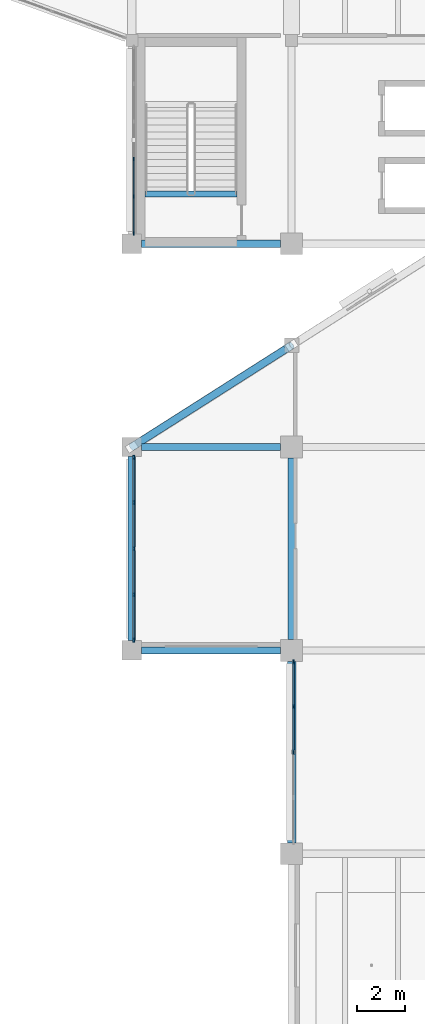
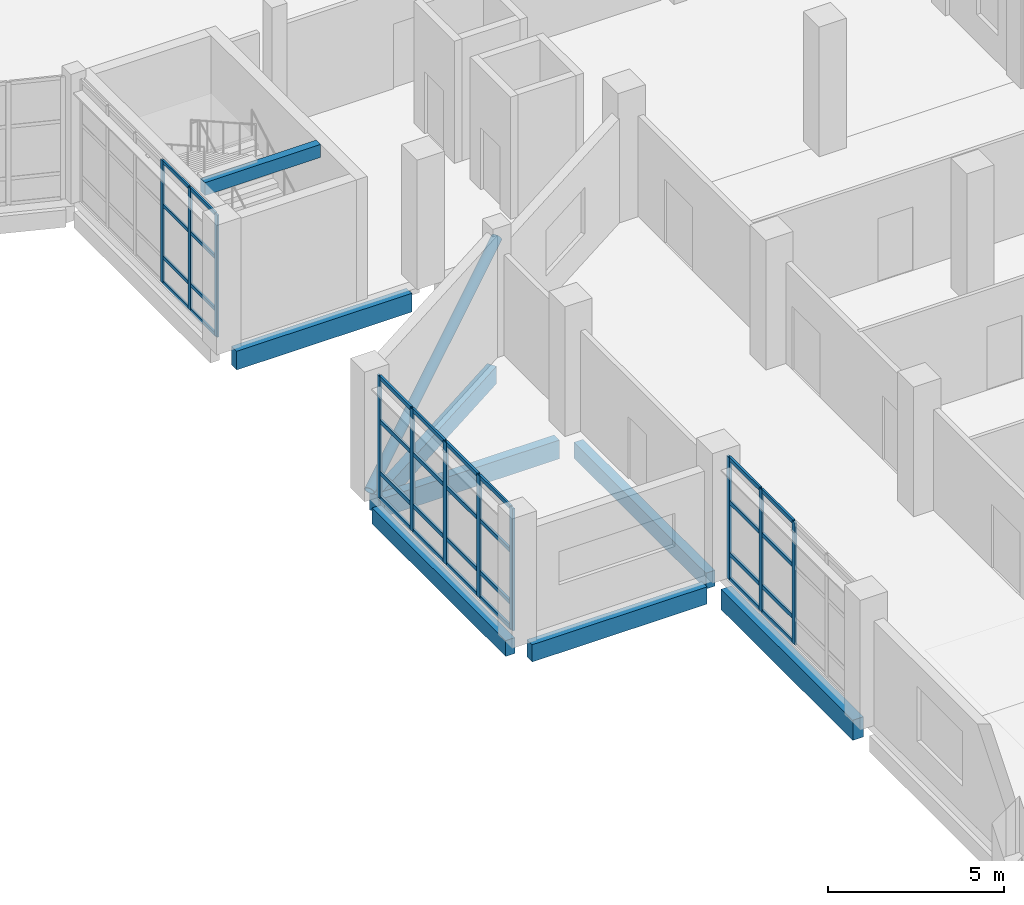
# One storey, part 19 of 76: 44 members, 8 beams, 3 elements without a shape of their own.
"""IFC4 building model written with IfcOpenShell, lengths in metres."""

from ifc_helpers import new_model, si_unit, direction, frame, origin, origin_2d, place, context, subcontext, project, spatial, rectangle, hollow_circle, extrude, material, material_profile, profile_set, type_object, element, aggregate, save


model = new_model("IFC4")

# Units and contexts
model_context = context("Model", 3, precision=1e-05, world=origin(), true_north=direction((0.0, 1.0)))
body_context = subcontext(model_context, "Body", "Model", "MODEL_VIEW")
ifc_project = project(units=[si_unit("LENGTHUNIT", "METRE"), si_unit("AREAUNIT", "SQUARE_METRE"), si_unit("VOLUMEUNIT", "CUBIC_METRE"), si_unit("PLANEANGLEUNIT", "RADIAN"), si_unit("MASSUNIT", "GRAM", prefix="KILO")], contexts=[model_context])

# Site, building, storey
site_placement = place(None, origin())
site = spatial("IfcSite", under=ifc_project, at=site_placement, CompositionType="ELEMENT")
building_placement = place(site_placement, origin())
building = spatial("IfcBuilding", under=site, at=building_placement, Name="Qaldarim Faculty of Natural and Applied Sciences", CompositionType="ELEMENT")
storey_placement = place(building_placement, frame((0.0, 0.0, 9.89990234375)))
storey = spatial("IfcBuildingStorey", under=building, at=storey_placement, Name="L02", CompositionType="ELEMENT", Elevation=9.89990234375)

# Beams
ifc_material_1 = material(Name="Concrete C40/50", Category="concrete")
ifc_material_profile_1 = material_profile(ifc_material_1, rectangle(XDim=0.300048828125, YDim=0.550048828125, at=origin_2d()), Name="RC-B300x550")
ifc_profile_set_1 = profile_set([ifc_material_profile_1], Name="Concrete C40/50")
beam_type_1 = type_object("IfcBeamType", Name="FloorBeam-RC300x550", PredefinedType="BEAM", material=ifc_profile_set_1)
beam_1_placement = place(storey_placement, frame((151.800048828125, 42.39990234375, -0.574951171875), z_axis=(0.0, 1.0, 0.0), x_axis=(-1.0, 0.0, 0.0)))
element("IfcBeam", 1, at=beam_1_placement, inside=storey, type_object=beam_type_1, Name="Beam RC-B300x550 L01 X24/Y06-Y07", PredefinedType="BEAM", context=body_context, shape_type="SweptSolid", body=[
    extrude(rectangle(XDim=0.300048828125, YDim=0.550048828125, at=origin_2d()), origin(), (0.0, 0.0, 1.0), 7.60009765625),
])
beam_2_placement = place(storey_placement, frame((158.39990234375, 42.449951171875, -0.574951171875), z_axis=(0.0, 1.0, 0.0), x_axis=(-1.0, 0.0, 0.0)))
element("IfcBeam", 2, at=beam_2_placement, inside=storey, type_object=beam_type_1, Name="Beam RC-B300x550 L01 X25/Y06-Y07", PredefinedType="BEAM", context=body_context, shape_type="SweptSolid", body=[
    extrude(rectangle(XDim=0.300048828125, YDim=0.550048828125, at=origin_2d()), origin(), (0.0, 0.0, 1.0), 7.5),
])
ifc_material_profile_2 = material_profile(ifc_material_1, rectangle(XDim=0.25, YDim=0.449951171875, at=origin_2d()), Name="RC-LN250x450")
ifc_profile_set_2 = profile_set([ifc_material_profile_2], Name="Concrete C40/50")
beam_type_2 = type_object("IfcBeamType", Name="LandingSupportBeam-RC250x450", PredefinedType="BEAM", material=ifc_profile_set_2)
beam_3_placement = place(storey_placement, frame((152.35009765625, 60.85009765625, 4.01513671875), z_axis=(1.0, 0.0, 0.0), x_axis=(0.0, 1.0, 0.0)))
element("IfcBeam", 3, at=beam_3_placement, inside=storey, type_object=beam_type_2, Name="Stair arrival support beam ST-C1 L02", PredefinedType="BEAM", context=body_context, shape_type="SweptSolid", body=[
    extrude(rectangle(XDim=0.25, YDim=0.449951171875, at=origin_2d()), origin(), (0.0, 0.0, 1.0), 3.7998046875),
])

# Member
ifc_material_2 = material(Name="Structural steel S355", Category="steel")
ifc_material_profile_3 = material_profile(ifc_material_2, hollow_circle(Radius=0.161865234375, WallThickness=0.02001953125, at=origin_2d()), Name="CHS 323.9x20.0")
ifc_profile_set_3 = profile_set([ifc_material_profile_3], Name="Structural steel S355")
member_type_1 = type_object("IfcMemberType", Name="LowerWingBrace-CHS323-9x20", PredefinedType="BRACE", material=ifc_profile_set_3)
member_1_placement = place(storey_placement, frame((151.800048828125, 50.39990234375, 0.0), z_axis=(0.753470929548, 0.479514440571, 0.449830478747), x_axis=(-0.536901743335, 0.843644781886, 0.0)))
element("IfcMember", 4, at=member_1_placement, inside=storey, type_object=member_type_1, Name="Oblique NW chamfer diagrid brace L02", PredefinedType="BRACE", context=body_context, shape_type="SweptSolid", body=[
    extrude(hollow_circle(Radius=0.161865234375, WallThickness=0.02001953125, at=origin_2d()), origin(), (0.0, 0.0, 1.0), 8.75927734375),
])

# Curtain wall, members
ifc_material_3 = material(Name="Anodised aluminium AW-6063", Category="aluminium")
curtain_wall_type_1 = type_object("IfcCurtainWallType", Name="CurtainWallSystem-M1600", PredefinedType="USERDEFINED", material=ifc_material_3)
curtain_wall_1_placement = place(storey_placement, origin())
curtain_wall_1 = element("IfcCurtainWall", 5, at=curtain_wall_1_placement, inside=storey, type_object=curtain_wall_type_1, Name="Curtain wall CW-L02-W-X24Y08", ObjectType="UNITISED FACADE", PredefinedType="USERDEFINED")
ifc_material_profile_4 = material_profile(ifc_material_3, rectangle(XDim=0.06005859375, YDim=0.14990234375, at=origin_2d()), Name="ALU-M60x150")
ifc_profile_set_4 = profile_set([ifc_material_profile_4], Name="Anodised aluminium AW-6063")
member_type_2 = type_object("IfcMemberType", Name="Mullion-ALU60x150", PredefinedType="MULLION", material=ifc_profile_set_4)
member_2_placement = place(storey_placement, frame((151.8798828125, 62.299072265625, 0.0), z_axis=(0.0, 0.0, 1.0), x_axis=(1.0, 0.0, 0.0)))
member_2 = element("IfcMember", 6, at=member_2_placement, type_object=member_type_2, Name="Mullion 4 of CW-L02-W-X24Y08", PredefinedType="MULLION", context=body_context, shape_type="SweptSolid", body=[
    extrude(rectangle(XDim=0.06005859375, YDim=0.14990234375, at=origin_2d()), origin(), (0.0, 0.0, 1.0), 4.239990234375),
])
member_3_placement = place(storey_placement, frame((151.8798828125, 60.7470703125, 0.0), z_axis=(0.0, 0.0, 1.0), x_axis=(1.0, 0.0, 0.0)))
member_3 = element("IfcMember", 7, at=member_3_placement, type_object=member_type_2, Name="Mullion 5 of CW-L02-W-X24Y08", PredefinedType="MULLION", context=body_context, shape_type="SweptSolid", body=[
    extrude(rectangle(XDim=0.06005859375, YDim=0.14990234375, at=origin_2d()), origin(), (0.0, 0.0, 1.0), 4.239990234375),
])
member_4_placement = place(storey_placement, frame((151.8798828125, 59.22509765625, 0.0), z_axis=(0.0, 0.0, 1.0), x_axis=(1.0, 0.0, 0.0)))
member_4 = element("IfcMember", 8, at=member_4_placement, type_object=member_type_2, Name="Mullion 6 of CW-L02-W-X24Y08", PredefinedType="MULLION", context=body_context, shape_type="SweptSolid", body=[
    extrude(rectangle(XDim=0.06005859375, YDim=0.14990234375, at=origin_2d()), origin(), (0.0, 0.0, 1.0), 4.239990234375),
])

curtain_wall_type_2 = type_object("IfcCurtainWallType", Name="CurtainWallSystem-M1700", PredefinedType="USERDEFINED", material=ifc_material_3)
curtain_wall_2_placement = place(storey_placement, origin())
curtain_wall_2 = element("IfcCurtainWall", 9, at=curtain_wall_2_placement, inside=storey, type_object=curtain_wall_type_2, Name="Curtain wall CW-L02-W-X24Y06", ObjectType="UNITISED FACADE", PredefinedType="USERDEFINED")
ifc_material_profile_5 = material_profile(ifc_material_3, rectangle(XDim=0.070068359375, YDim=0.179931640625, at=origin_2d()), Name="ALU-M70x180")
ifc_profile_set_5 = profile_set([ifc_material_profile_5], Name="Anodised aluminium AW-6063")
member_type_3 = type_object("IfcMemberType", Name="Mullion-ALU70x180", PredefinedType="MULLION", material=ifc_profile_set_5)
member_5_placement = place(storey_placement, frame((151.8798828125, 49.969970703125, 0.0), z_axis=(0.0, 0.0, 1.0), x_axis=(1.0, 0.0, 0.0)))
member_5 = element("IfcMember", 10, at=member_5_placement, type_object=member_type_3, Name="Mullion 1 of CW-L02-W-X24Y06", PredefinedType="MULLION", context=body_context, shape_type="SweptSolid", body=[
    extrude(rectangle(XDim=0.070068359375, YDim=0.179931640625, at=origin_2d()), origin(), (0.0, 0.0, 1.0), 4.239990234375),
])
member_6_placement = place(storey_placement, frame((151.8798828125, 48.1025390625, 0.0), z_axis=(0.0, 0.0, 1.0), x_axis=(1.0, 0.0, 0.0)))
member_6 = element("IfcMember", 11, at=member_6_placement, type_object=member_type_3, Name="Mullion 2 of CW-L02-W-X24Y06", PredefinedType="MULLION", context=body_context, shape_type="SweptSolid", body=[
    extrude(rectangle(XDim=0.070068359375, YDim=0.179931640625, at=origin_2d()), origin(), (0.0, 0.0, 1.0), 4.239990234375),
])
member_7_placement = place(storey_placement, frame((151.8798828125, 46.199951171875, 0.0), z_axis=(0.0, 0.0, 1.0), x_axis=(1.0, 0.0, 0.0)))
member_7 = element("IfcMember", 12, at=member_7_placement, type_object=member_type_3, Name="Mullion 3 of CW-L02-W-X24Y06", PredefinedType="MULLION", context=body_context, shape_type="SweptSolid", body=[
    extrude(rectangle(XDim=0.070068359375, YDim=0.179931640625, at=origin_2d()), origin(), (0.0, 0.0, 1.0), 4.239990234375),
])
member_8_placement = place(storey_placement, frame((151.8798828125, 44.297607421875, 0.0), z_axis=(0.0, 0.0, 1.0), x_axis=(1.0, 0.0, 0.0)))
member_8 = element("IfcMember", 13, at=member_8_placement, type_object=member_type_3, Name="Mullion 4 of CW-L02-W-X24Y06", PredefinedType="MULLION", context=body_context, shape_type="SweptSolid", body=[
    extrude(rectangle(XDim=0.070068359375, YDim=0.179931640625, at=origin_2d()), origin(), (0.0, 0.0, 1.0), 4.239990234375),
])
member_9_placement = place(storey_placement, frame((151.8798828125, 42.429931640625, 0.0), z_axis=(0.0, 0.0, 1.0), x_axis=(1.0, 0.0, 0.0)))
member_9 = element("IfcMember", 14, at=member_9_placement, type_object=member_type_3, Name="Mullion 5 of CW-L02-W-X24Y06", PredefinedType="MULLION", context=body_context, shape_type="SweptSolid", body=[
    extrude(rectangle(XDim=0.070068359375, YDim=0.179931640625, at=origin_2d()), origin(), (0.0, 0.0, 1.0), 4.239990234375),
])

curtain_wall_3_placement = place(storey_placement, origin())
curtain_wall_3 = element("IfcCurtainWall", 15, at=curtain_wall_3_placement, inside=storey, type_object=curtain_wall_type_2, Name="Curtain wall CW-L02-W-X25Y05", ObjectType="UNITISED FACADE", PredefinedType="USERDEFINED")
member_10_placement = place(storey_placement, frame((158.47998046875, 41.52001953125, 0.0), z_axis=(0.0, 0.0, 1.0), x_axis=(1.0, 0.0, 0.0)))
member_10 = element("IfcMember", 16, at=member_10_placement, type_object=member_type_3, Name="Mullion 1 of CW-L02-W-X25Y05", PredefinedType="MULLION", context=body_context, shape_type="SweptSolid", body=[
    extrude(rectangle(XDim=0.070068359375, YDim=0.179931640625, at=origin_2d()), origin(), (0.0, 0.0, 1.0), 4.239990234375),
])
member_11_placement = place(storey_placement, frame((158.47998046875, 39.677490234375, 0.0), z_axis=(0.0, 0.0, 1.0), x_axis=(1.0, 0.0, 0.0)))
member_11 = element("IfcMember", 17, at=member_11_placement, type_object=member_type_3, Name="Mullion 2 of CW-L02-W-X25Y05", PredefinedType="MULLION", context=body_context, shape_type="SweptSolid", body=[
    extrude(rectangle(XDim=0.070068359375, YDim=0.179931640625, at=origin_2d()), origin(), (0.0, 0.0, 1.0), 4.239990234375),
])
member_12_placement = place(storey_placement, frame((158.47998046875, 37.800048828125, 0.0), z_axis=(0.0, 0.0, 1.0), x_axis=(1.0, 0.0, 0.0)))
member_12 = element("IfcMember", 18, at=member_12_placement, type_object=member_type_3, Name="Mullion 3 of CW-L02-W-X25Y05", PredefinedType="MULLION", context=body_context, shape_type="SweptSolid", body=[
    extrude(rectangle(XDim=0.070068359375, YDim=0.179931640625, at=origin_2d()), origin(), (0.0, 0.0, 1.0), 4.239990234375),
])

# Beams
ifc_material_profile_6 = material_profile(ifc_material_1, rectangle(XDim=0.300048828125, YDim=0.64990234375, at=origin_2d()), Name="RC-B300x650")
ifc_profile_set_6 = profile_set([ifc_material_profile_6], Name="Concrete C40/50")
beam_type_3 = type_object("IfcBeamType", Name="PrimaryBeam-RC300x650", PredefinedType="BEAM", material=ifc_profile_set_6)
for number, where, z_axis, x_axis, name in (
    (19, (152.199951171875, 50.39990234375, -0.625), (1.0, 0.0, 0.0), (0.0, 1.0, 0.0), "Beam RC-B300x650 L01 X24-X25/Y07"),
    (20, (152.199951171875, 58.800048828125, -0.625), (1.0, 0.0, 0.0), (0.0, 1.0, 0.0), "Beam RC-B300x650 L01 X24-X25/Y08"),
):
    element("IfcBeam", number, at=place(storey_placement, frame(where, z_axis=z_axis, x_axis=x_axis)), inside=storey, type_object=beam_type_3, Name=name, PredefinedType="BEAM", context=body_context, shape_type="SweptSolid", body=[
        extrude(rectangle(XDim=0.300048828125, YDim=0.64990234375, at=origin_2d()), origin(), (0.0, 0.0, 1.0), 5.75),
    ])
ifc_material_profile_7 = material_profile(ifc_material_1, rectangle(XDim=0.35009765625, YDim=0.699951171875, at=origin_2d()), Name="RC-B350x700")
ifc_profile_set_7 = profile_set([ifc_material_profile_7], Name="Concrete C40/50")
beam_type_4 = type_object("IfcBeamType", Name="PrimaryGirder-RC350x700", PredefinedType="BEAM", material=ifc_profile_set_7)
beam_4_placement = place(storey_placement, frame((158.39990234375, 34.050048828125, -0.64990234375), z_axis=(0.0, 1.0, 0.0), x_axis=(-1.0, 0.0, 0.0)))
element("IfcBeam", 21, at=beam_4_placement, inside=storey, type_object=beam_type_4, Name="Beam RC-B350x700 L01 X25/Y05-Y06", PredefinedType="BEAM", context=body_context, shape_type="SweptSolid", body=[
    extrude(rectangle(XDim=0.35009765625, YDim=0.699951171875, at=origin_2d()), origin(), (0.0, 0.0, 1.0), 7.5),
])
ifc_material_4 = material(Name="Precast concrete C40/50", Category="concrete")
ifc_material_profile_8 = material_profile(ifc_material_4, rectangle(XDim=0.300048828125, YDim=0.60009765625, at=origin_2d()), Name="RC-SP300x600")
ifc_profile_set_8 = profile_set([ifc_material_profile_8], Name="Precast concrete C40/50")
beam_type_5 = type_object("IfcBeamType", Name="SpandrelBeam-RC300x600", PredefinedType="SPANDREL", material=ifc_profile_set_8)
beam_5_placement = place(storey_placement, frame((152.199951171875, 42.0, -0.599853515625), z_axis=(1.0, 0.0, 0.0), x_axis=(0.0, 1.0, 0.0)))
element("IfcBeam", 22, at=beam_5_placement, inside=storey, type_object=beam_type_5, Name="Beam RC-SP300x600 L01 X24-X25/Y06", PredefinedType="SPANDREL", context=body_context, shape_type="SweptSolid", body=[
    extrude(rectangle(XDim=0.300048828125, YDim=0.60009765625, at=origin_2d()), origin(), (0.0, 0.0, 1.0), 5.75),
])
beam_6_placement = place(storey_placement, frame((152.050048828125, 50.56005859375, -0.599853515625), z_axis=(0.843776886751, 0.536694107835, 0.0), x_axis=(-0.536694107835, 0.843776886751, 0.0)))
element("IfcBeam", 23, at=beam_6_placement, inside=storey, type_object=beam_type_5, Name="Oblique NW chamfer spandrel L01 1", PredefinedType="SPANDREL", context=body_context, shape_type="SweptSolid", body=[
    extrude(rectangle(XDim=0.300048828125, YDim=0.60009765625, at=origin_2d()), origin(), (0.0, 0.0, 1.0), 7.229248046875),
])

# Member
ifc_material_profile_9 = material_profile(ifc_material_3, rectangle(XDim=0.06005859375, YDim=0.1201171875, at=origin_2d()), Name="ALU-T60x120")
ifc_profile_set_9 = profile_set([ifc_material_profile_9], Name="Anodised aluminium AW-6063")
member_type_4 = type_object("IfcMemberType", Name="Transom-ALU60x120", PredefinedType="USERDEFINED", material=ifc_profile_set_9)
member_13_placement = place(storey_placement, frame((151.8798828125, 62.26904296875, 0.030029296875), z_axis=(0.0, -1.0, 0.0), x_axis=(1.0, 0.0, 0.0)))
member_13 = element("IfcMember", 24, at=member_13_placement, type_object=member_type_4, Name="Transom 4-1 of CW-L02-W-X24Y08", ObjectType="TRANSOM", PredefinedType="USERDEFINED", context=body_context, shape_type="SweptSolid", body=[
    extrude(rectangle(XDim=0.06005859375, YDim=0.1201171875, at=origin_2d()), origin(), (0.0, 0.0, 1.0), 1.491943359375),
])

member_14_placement = place(storey_placement, frame((151.8798828125, 62.26904296875, 0.900146484375), z_axis=(0.0, -1.0, 0.0), x_axis=(1.0, 0.0, 0.0)))
member_14 = element("IfcMember", 25, at=member_14_placement, type_object=member_type_4, Name="Transom 4-2 of CW-L02-W-X24Y08", ObjectType="TRANSOM", PredefinedType="USERDEFINED", context=body_context, shape_type="SweptSolid", body=[
    extrude(rectangle(XDim=0.06005859375, YDim=0.1201171875, at=origin_2d()), origin(), (0.0, 0.0, 1.0), 1.491943359375),
])

member_15_placement = place(storey_placement, frame((151.8798828125, 62.26904296875, 2.7001953125), z_axis=(0.0, -1.0, 0.0), x_axis=(1.0, 0.0, 0.0)))
member_15 = element("IfcMember", 26, at=member_15_placement, type_object=member_type_4, Name="Transom 4-3 of CW-L02-W-X24Y08", ObjectType="TRANSOM", PredefinedType="USERDEFINED", context=body_context, shape_type="SweptSolid", body=[
    extrude(rectangle(XDim=0.06005859375, YDim=0.1201171875, at=origin_2d()), origin(), (0.0, 0.0, 1.0), 1.491943359375),
])

member_16_placement = place(storey_placement, frame((151.8798828125, 62.26904296875, 4.210205078125), z_axis=(0.0, -1.0, 0.0), x_axis=(1.0, 0.0, 0.0)))
member_16 = element("IfcMember", 27, at=member_16_placement, type_object=member_type_4, Name="Transom 4-4 of CW-L02-W-X24Y08", ObjectType="TRANSOM", PredefinedType="USERDEFINED", context=body_context, shape_type="SweptSolid", body=[
    extrude(rectangle(XDim=0.06005859375, YDim=0.1201171875, at=origin_2d()), origin(), (0.0, 0.0, 1.0), 1.491943359375),
])

member_17_placement = place(storey_placement, frame((151.8798828125, 60.717041015625, 0.030029296875), z_axis=(0.0, -1.0, 0.0), x_axis=(1.0, 0.0, 0.0)))
member_17 = element("IfcMember", 28, at=member_17_placement, type_object=member_type_4, Name="Transom 5-1 of CW-L02-W-X24Y08", ObjectType="TRANSOM", PredefinedType="USERDEFINED", context=body_context, shape_type="SweptSolid", body=[
    extrude(rectangle(XDim=0.06005859375, YDim=0.1201171875, at=origin_2d()), origin(), (0.0, 0.0, 1.0), 1.462158203125),
])

member_18_placement = place(storey_placement, frame((151.8798828125, 60.717041015625, 0.900146484375), z_axis=(0.0, -1.0, 0.0), x_axis=(1.0, 0.0, 0.0)))
member_18 = element("IfcMember", 29, at=member_18_placement, type_object=member_type_4, Name="Transom 5-2 of CW-L02-W-X24Y08", ObjectType="TRANSOM", PredefinedType="USERDEFINED", context=body_context, shape_type="SweptSolid", body=[
    extrude(rectangle(XDim=0.06005859375, YDim=0.1201171875, at=origin_2d()), origin(), (0.0, 0.0, 1.0), 1.462158203125),
])

member_19_placement = place(storey_placement, frame((151.8798828125, 60.717041015625, 2.7001953125), z_axis=(0.0, -1.0, 0.0), x_axis=(1.0, 0.0, 0.0)))
member_19 = element("IfcMember", 30, at=member_19_placement, type_object=member_type_4, Name="Transom 5-3 of CW-L02-W-X24Y08", ObjectType="TRANSOM", PredefinedType="USERDEFINED", context=body_context, shape_type="SweptSolid", body=[
    extrude(rectangle(XDim=0.06005859375, YDim=0.1201171875, at=origin_2d()), origin(), (0.0, 0.0, 1.0), 1.462158203125),
])

member_20_placement = place(storey_placement, frame((151.8798828125, 60.717041015625, 4.210205078125), z_axis=(0.0, -1.0, 0.0), x_axis=(1.0, 0.0, 0.0)))
member_20 = element("IfcMember", 31, at=member_20_placement, type_object=member_type_4, Name="Transom 5-4 of CW-L02-W-X24Y08", ObjectType="TRANSOM", PredefinedType="USERDEFINED", context=body_context, shape_type="SweptSolid", body=[
    extrude(rectangle(XDim=0.06005859375, YDim=0.1201171875, at=origin_2d()), origin(), (0.0, 0.0, 1.0), 1.462158203125),
])

aggregate(curtain_wall_1, [member_2, member_3, member_4, member_13, member_14, member_15, member_16, member_17, member_18, member_19, member_20])

ifc_material_profile_10 = material_profile(ifc_material_3, rectangle(XDim=0.070068359375, YDim=0.139892578125, at=origin_2d()), Name="ALU-T70x140")
ifc_profile_set_10 = profile_set([ifc_material_profile_10], Name="Anodised aluminium AW-6063")
member_type_5 = type_object("IfcMemberType", Name="Transom-ALU70x140", PredefinedType="USERDEFINED", material=ifc_profile_set_10)
member_21_placement = place(storey_placement, frame((151.8798828125, 49.93505859375, 0.03515625), z_axis=(0.0, -1.0, 0.0), x_axis=(1.0, 0.0, 0.0)))
member_21 = element("IfcMember", 32, at=member_21_placement, type_object=member_type_5, Name="Transom 1-1 of CW-L02-W-X24Y06", ObjectType="TRANSOM", PredefinedType="USERDEFINED", context=body_context, shape_type="SweptSolid", body=[
    extrude(rectangle(XDim=0.070068359375, YDim=0.139892578125, at=origin_2d()), origin(), (0.0, 0.0, 1.0), 1.797607421875),
])

member_22_placement = place(storey_placement, frame((151.8798828125, 49.93505859375, 0.900146484375), z_axis=(0.0, -1.0, 0.0), x_axis=(1.0, 0.0, 0.0)))
member_22 = element("IfcMember", 33, at=member_22_placement, type_object=member_type_5, Name="Transom 1-2 of CW-L02-W-X24Y06", ObjectType="TRANSOM", PredefinedType="USERDEFINED", context=body_context, shape_type="SweptSolid", body=[
    extrude(rectangle(XDim=0.070068359375, YDim=0.139892578125, at=origin_2d()), origin(), (0.0, 0.0, 1.0), 1.797607421875),
])

member_23_placement = place(storey_placement, frame((151.8798828125, 49.93505859375, 2.7001953125), z_axis=(0.0, -1.0, 0.0), x_axis=(1.0, 0.0, 0.0)))
member_23 = element("IfcMember", 34, at=member_23_placement, type_object=member_type_5, Name="Transom 1-3 of CW-L02-W-X24Y06", ObjectType="TRANSOM", PredefinedType="USERDEFINED", context=body_context, shape_type="SweptSolid", body=[
    extrude(rectangle(XDim=0.070068359375, YDim=0.139892578125, at=origin_2d()), origin(), (0.0, 0.0, 1.0), 1.797607421875),
])

member_24_placement = place(storey_placement, frame((151.8798828125, 49.93505859375, 4.205078125), z_axis=(0.0, -1.0, 0.0), x_axis=(1.0, 0.0, 0.0)))
member_24 = element("IfcMember", 35, at=member_24_placement, type_object=member_type_5, Name="Transom 1-4 of CW-L02-W-X24Y06", ObjectType="TRANSOM", PredefinedType="USERDEFINED", context=body_context, shape_type="SweptSolid", body=[
    extrude(rectangle(XDim=0.070068359375, YDim=0.139892578125, at=origin_2d()), origin(), (0.0, 0.0, 1.0), 1.797607421875),
])

member_25_placement = place(storey_placement, frame((151.8798828125, 48.0673828125, 0.03515625), z_axis=(0.0, -1.0, 0.0), x_axis=(1.0, 0.0, 0.0)))
member_25 = element("IfcMember", 36, at=member_25_placement, type_object=member_type_5, Name="Transom 2-1 of CW-L02-W-X24Y06", ObjectType="TRANSOM", PredefinedType="USERDEFINED", context=body_context, shape_type="SweptSolid", body=[
    extrude(rectangle(XDim=0.070068359375, YDim=0.139892578125, at=origin_2d()), origin(), (0.0, 0.0, 1.0), 1.832275390625),
])

member_26_placement = place(storey_placement, frame((151.8798828125, 48.0673828125, 0.900146484375), z_axis=(0.0, -1.0, 0.0), x_axis=(1.0, 0.0, 0.0)))
member_26 = element("IfcMember", 37, at=member_26_placement, type_object=member_type_5, Name="Transom 2-2 of CW-L02-W-X24Y06", ObjectType="TRANSOM", PredefinedType="USERDEFINED", context=body_context, shape_type="SweptSolid", body=[
    extrude(rectangle(XDim=0.070068359375, YDim=0.139892578125, at=origin_2d()), origin(), (0.0, 0.0, 1.0), 1.832275390625),
])

member_27_placement = place(storey_placement, frame((151.8798828125, 48.0673828125, 2.7001953125), z_axis=(0.0, -1.0, 0.0), x_axis=(1.0, 0.0, 0.0)))
member_27 = element("IfcMember", 38, at=member_27_placement, type_object=member_type_5, Name="Transom 2-3 of CW-L02-W-X24Y06", ObjectType="TRANSOM", PredefinedType="USERDEFINED", context=body_context, shape_type="SweptSolid", body=[
    extrude(rectangle(XDim=0.070068359375, YDim=0.139892578125, at=origin_2d()), origin(), (0.0, 0.0, 1.0), 1.832275390625),
])

member_28_placement = place(storey_placement, frame((151.8798828125, 48.0673828125, 4.205078125), z_axis=(0.0, -1.0, 0.0), x_axis=(1.0, 0.0, 0.0)))
member_28 = element("IfcMember", 39, at=member_28_placement, type_object=member_type_5, Name="Transom 2-4 of CW-L02-W-X24Y06", ObjectType="TRANSOM", PredefinedType="USERDEFINED", context=body_context, shape_type="SweptSolid", body=[
    extrude(rectangle(XDim=0.070068359375, YDim=0.139892578125, at=origin_2d()), origin(), (0.0, 0.0, 1.0), 1.832275390625),
])

member_29_placement = place(storey_placement, frame((151.8798828125, 46.1650390625, 0.03515625), z_axis=(0.0, -1.0, 0.0), x_axis=(1.0, 0.0, 0.0)))
member_29 = element("IfcMember", 40, at=member_29_placement, type_object=member_type_5, Name="Transom 3-1 of CW-L02-W-X24Y06", ObjectType="TRANSOM", PredefinedType="USERDEFINED", context=body_context, shape_type="SweptSolid", body=[
    extrude(rectangle(XDim=0.070068359375, YDim=0.139892578125, at=origin_2d()), origin(), (0.0, 0.0, 1.0), 1.83251953125),
])

member_30_placement = place(storey_placement, frame((151.8798828125, 46.1650390625, 0.900146484375), z_axis=(0.0, -1.0, 0.0), x_axis=(1.0, 0.0, 0.0)))
member_30 = element("IfcMember", 41, at=member_30_placement, type_object=member_type_5, Name="Transom 3-2 of CW-L02-W-X24Y06", ObjectType="TRANSOM", PredefinedType="USERDEFINED", context=body_context, shape_type="SweptSolid", body=[
    extrude(rectangle(XDim=0.070068359375, YDim=0.139892578125, at=origin_2d()), origin(), (0.0, 0.0, 1.0), 1.83251953125),
])

member_31_placement = place(storey_placement, frame((151.8798828125, 46.1650390625, 2.7001953125), z_axis=(0.0, -1.0, 0.0), x_axis=(1.0, 0.0, 0.0)))
member_31 = element("IfcMember", 42, at=member_31_placement, type_object=member_type_5, Name="Transom 3-3 of CW-L02-W-X24Y06", ObjectType="TRANSOM", PredefinedType="USERDEFINED", context=body_context, shape_type="SweptSolid", body=[
    extrude(rectangle(XDim=0.070068359375, YDim=0.139892578125, at=origin_2d()), origin(), (0.0, 0.0, 1.0), 1.83251953125),
])

member_32_placement = place(storey_placement, frame((151.8798828125, 46.1650390625, 4.205078125), z_axis=(0.0, -1.0, 0.0), x_axis=(1.0, 0.0, 0.0)))
member_32 = element("IfcMember", 43, at=member_32_placement, type_object=member_type_5, Name="Transom 3-4 of CW-L02-W-X24Y06", ObjectType="TRANSOM", PredefinedType="USERDEFINED", context=body_context, shape_type="SweptSolid", body=[
    extrude(rectangle(XDim=0.070068359375, YDim=0.139892578125, at=origin_2d()), origin(), (0.0, 0.0, 1.0), 1.83251953125),
])

member_33_placement = place(storey_placement, frame((151.8798828125, 44.262451171875, 0.03515625), z_axis=(0.0, -1.0, 0.0), x_axis=(1.0, 0.0, 0.0)))
member_33 = element("IfcMember", 44, at=member_33_placement, type_object=member_type_5, Name="Transom 4-1 of CW-L02-W-X24Y06", ObjectType="TRANSOM", PredefinedType="USERDEFINED", context=body_context, shape_type="SweptSolid", body=[
    extrude(rectangle(XDim=0.070068359375, YDim=0.139892578125, at=origin_2d()), origin(), (0.0, 0.0, 1.0), 1.79736328125),
])

member_34_placement = place(storey_placement, frame((151.8798828125, 44.262451171875, 0.900146484375), z_axis=(0.0, -1.0, 0.0), x_axis=(1.0, 0.0, 0.0)))
member_34 = element("IfcMember", 45, at=member_34_placement, type_object=member_type_5, Name="Transom 4-2 of CW-L02-W-X24Y06", ObjectType="TRANSOM", PredefinedType="USERDEFINED", context=body_context, shape_type="SweptSolid", body=[
    extrude(rectangle(XDim=0.070068359375, YDim=0.139892578125, at=origin_2d()), origin(), (0.0, 0.0, 1.0), 1.79736328125),
])

member_35_placement = place(storey_placement, frame((151.8798828125, 44.262451171875, 2.7001953125), z_axis=(0.0, -1.0, 0.0), x_axis=(1.0, 0.0, 0.0)))
member_35 = element("IfcMember", 46, at=member_35_placement, type_object=member_type_5, Name="Transom 4-3 of CW-L02-W-X24Y06", ObjectType="TRANSOM", PredefinedType="USERDEFINED", context=body_context, shape_type="SweptSolid", body=[
    extrude(rectangle(XDim=0.070068359375, YDim=0.139892578125, at=origin_2d()), origin(), (0.0, 0.0, 1.0), 1.79736328125),
])

member_36_placement = place(storey_placement, frame((151.8798828125, 44.262451171875, 4.205078125), z_axis=(0.0, -1.0, 0.0), x_axis=(1.0, 0.0, 0.0)))
member_36 = element("IfcMember", 47, at=member_36_placement, type_object=member_type_5, Name="Transom 4-4 of CW-L02-W-X24Y06", ObjectType="TRANSOM", PredefinedType="USERDEFINED", context=body_context, shape_type="SweptSolid", body=[
    extrude(rectangle(XDim=0.070068359375, YDim=0.139892578125, at=origin_2d()), origin(), (0.0, 0.0, 1.0), 1.79736328125),
])

aggregate(curtain_wall_2, [member_5, member_6, member_7, member_8, member_9, member_21, member_22, member_23, member_24, member_25, member_26, member_27, member_28, member_29, member_30, member_31, member_32, member_33, member_34, member_35, member_36])

member_37_placement = place(storey_placement, frame((158.47998046875, 41.485107421875, 0.03515625), z_axis=(0.0, -1.0, 0.0), x_axis=(1.0, 0.0, 0.0)))
member_37 = element("IfcMember", 48, at=member_37_placement, type_object=member_type_5, Name="Transom 1-1 of CW-L02-W-X25Y05", ObjectType="TRANSOM", PredefinedType="USERDEFINED", context=body_context, shape_type="SweptSolid", body=[
    extrude(rectangle(XDim=0.070068359375, YDim=0.139892578125, at=origin_2d()), origin(), (0.0, 0.0, 1.0), 1.772705078125),
])

member_38_placement = place(storey_placement, frame((158.47998046875, 41.485107421875, 0.900146484375), z_axis=(0.0, -1.0, 0.0), x_axis=(1.0, 0.0, 0.0)))
member_38 = element("IfcMember", 49, at=member_38_placement, type_object=member_type_5, Name="Transom 1-2 of CW-L02-W-X25Y05", ObjectType="TRANSOM", PredefinedType="USERDEFINED", context=body_context, shape_type="SweptSolid", body=[
    extrude(rectangle(XDim=0.070068359375, YDim=0.139892578125, at=origin_2d()), origin(), (0.0, 0.0, 1.0), 1.772705078125),
])

member_39_placement = place(storey_placement, frame((158.47998046875, 41.485107421875, 2.7001953125), z_axis=(0.0, -1.0, 0.0), x_axis=(1.0, 0.0, 0.0)))
member_39 = element("IfcMember", 50, at=member_39_placement, type_object=member_type_5, Name="Transom 1-3 of CW-L02-W-X25Y05", ObjectType="TRANSOM", PredefinedType="USERDEFINED", context=body_context, shape_type="SweptSolid", body=[
    extrude(rectangle(XDim=0.070068359375, YDim=0.139892578125, at=origin_2d()), origin(), (0.0, 0.0, 1.0), 1.772705078125),
])

member_40_placement = place(storey_placement, frame((158.47998046875, 41.485107421875, 4.205078125), z_axis=(0.0, -1.0, 0.0), x_axis=(1.0, 0.0, 0.0)))
member_40 = element("IfcMember", 51, at=member_40_placement, type_object=member_type_5, Name="Transom 1-4 of CW-L02-W-X25Y05", ObjectType="TRANSOM", PredefinedType="USERDEFINED", context=body_context, shape_type="SweptSolid", body=[
    extrude(rectangle(XDim=0.070068359375, YDim=0.139892578125, at=origin_2d()), origin(), (0.0, 0.0, 1.0), 1.772705078125),
])

member_41_placement = place(storey_placement, frame((158.47998046875, 39.642578125, 0.03515625), z_axis=(0.0, -1.0, 0.0), x_axis=(1.0, 0.0, 0.0)))
member_41 = element("IfcMember", 52, at=member_41_placement, type_object=member_type_5, Name="Transom 2-1 of CW-L02-W-X25Y05", ObjectType="TRANSOM", PredefinedType="USERDEFINED", context=body_context, shape_type="SweptSolid", body=[
    extrude(rectangle(XDim=0.070068359375, YDim=0.139892578125, at=origin_2d()), origin(), (0.0, 0.0, 1.0), 1.8076171875),
])

member_42_placement = place(storey_placement, frame((158.47998046875, 39.642578125, 0.900146484375), z_axis=(0.0, -1.0, 0.0), x_axis=(1.0, 0.0, 0.0)))
member_42 = element("IfcMember", 53, at=member_42_placement, type_object=member_type_5, Name="Transom 2-2 of CW-L02-W-X25Y05", ObjectType="TRANSOM", PredefinedType="USERDEFINED", context=body_context, shape_type="SweptSolid", body=[
    extrude(rectangle(XDim=0.070068359375, YDim=0.139892578125, at=origin_2d()), origin(), (0.0, 0.0, 1.0), 1.8076171875),
])

member_43_placement = place(storey_placement, frame((158.47998046875, 39.642578125, 2.7001953125), z_axis=(0.0, -1.0, 0.0), x_axis=(1.0, 0.0, 0.0)))
member_43 = element("IfcMember", 54, at=member_43_placement, type_object=member_type_5, Name="Transom 2-3 of CW-L02-W-X25Y05", ObjectType="TRANSOM", PredefinedType="USERDEFINED", context=body_context, shape_type="SweptSolid", body=[
    extrude(rectangle(XDim=0.070068359375, YDim=0.139892578125, at=origin_2d()), origin(), (0.0, 0.0, 1.0), 1.8076171875),
])

member_44_placement = place(storey_placement, frame((158.47998046875, 39.642578125, 4.205078125), z_axis=(0.0, -1.0, 0.0), x_axis=(1.0, 0.0, 0.0)))
member_44 = element("IfcMember", 55, at=member_44_placement, type_object=member_type_5, Name="Transom 2-4 of CW-L02-W-X25Y05", ObjectType="TRANSOM", PredefinedType="USERDEFINED", context=body_context, shape_type="SweptSolid", body=[
    extrude(rectangle(XDim=0.070068359375, YDim=0.139892578125, at=origin_2d()), origin(), (0.0, 0.0, 1.0), 1.8076171875),
])

aggregate(curtain_wall_3, [member_10, member_11, member_12, member_37, member_38, member_39, member_40, member_41, member_42, member_43, member_44])

save(model, "model.ifc")
